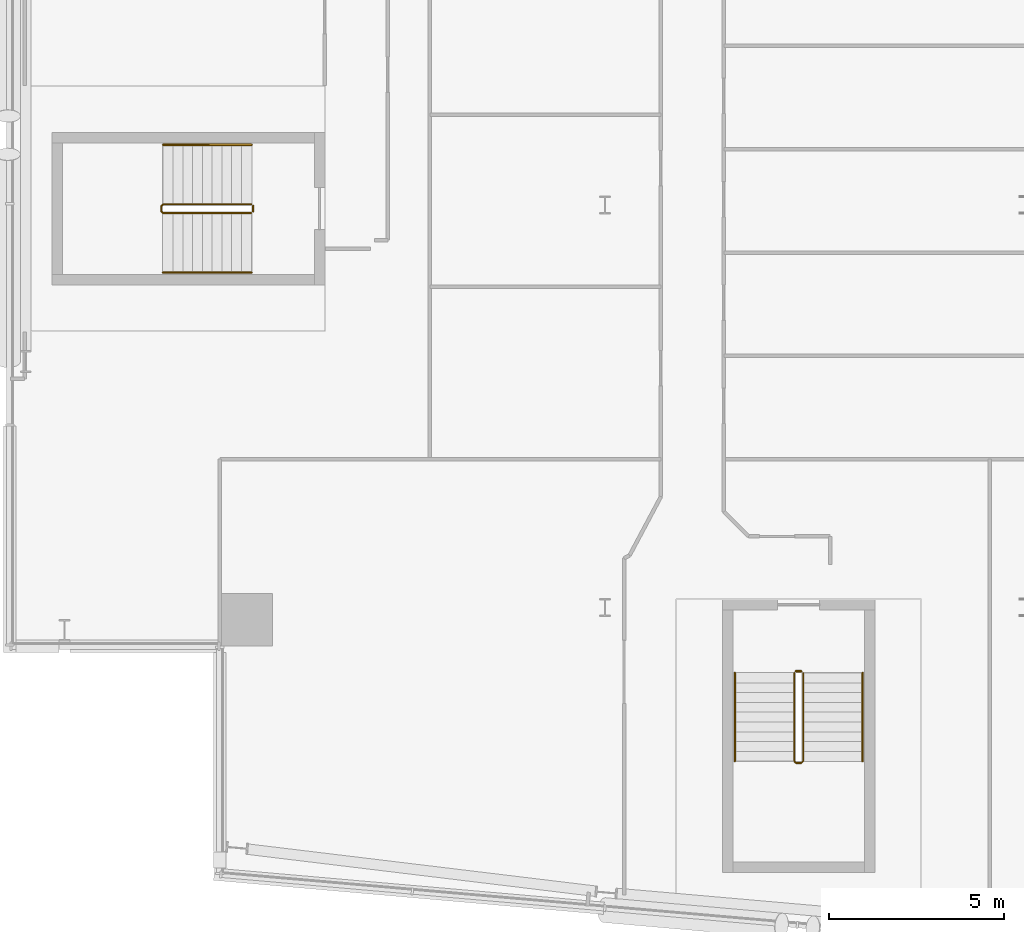
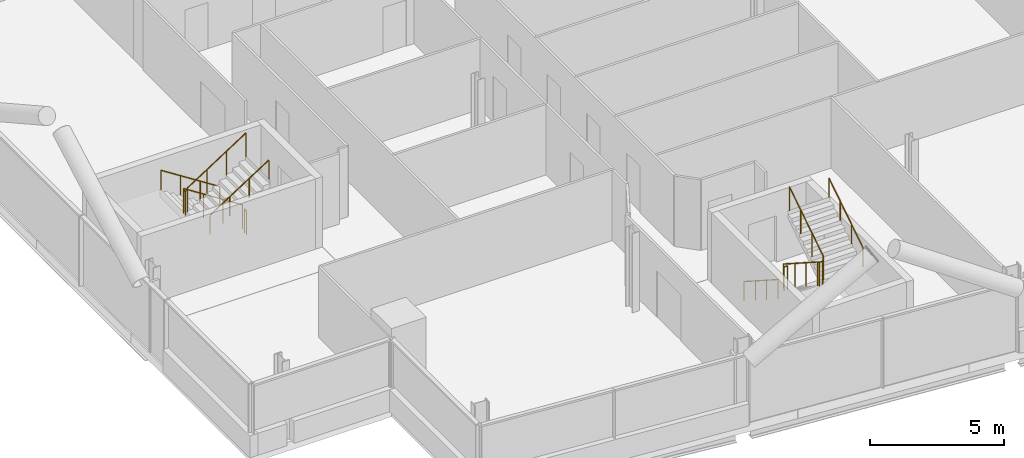
# One storey, part 24 of 26: 8 railings.
"""IFC4 building model written with IfcOpenShell, lengths in metres."""

from ifc_helpers import new_model, si_unit, direction, frame, origin, origin_2d, place, context, subcontext, project, spatial, circle, extrude, material, type_object, element, save


model = new_model("IFC4")

# Units and contexts
model_context = context("Model", 3, precision=1e-05, world=origin(), true_north=direction((0.0, 1.0)))
body_context = subcontext(model_context, "Body", "Model", "MODEL_VIEW")
ifc_project = project(units=[si_unit("LENGTHUNIT", "METRE"), si_unit("AREAUNIT", "SQUARE_METRE"), si_unit("VOLUMEUNIT", "CUBIC_METRE"), si_unit("PLANEANGLEUNIT", "RADIAN"), si_unit("MASSUNIT", "GRAM", prefix="KILO")], contexts=[model_context])

# Site, building, storey
site_placement = place(None, origin())
site = spatial("IfcSite", under=ifc_project, at=site_placement, CompositionType="ELEMENT")
building_placement = place(site_placement, origin())
building = spatial("IfcBuilding", under=site, at=building_placement, Name="Wharfspan Tower", CompositionType="ELEMENT")
storey_placement = place(building_placement, frame((0.0, 0.0, 169.899902)))
storey = spatial("IfcBuildingStorey", under=building, at=storey_placement, Name="L41", CompositionType="ELEMENT", Elevation=169.899902)

# Railings
ifc_material = material(Name="Steel S355J2", Category="steel")
railing_type_1 = type_object("IfcRailingType", Name="Stair guard 1100", PredefinedType="GUARDRAIL", material=ifc_material)
railing_1_placement = place(storey_placement, frame((13.899902, 23.024902, 0.180176)))
element("IfcRailing", 1, at=railing_1_placement, inside=storey, type_object=railing_type_1, Name="L41 ST3 stair guard 1", PredefinedType="GUARDRAIL", context=body_context, shape_type="SweptSolid", body=[
    extrude(circle(Radius=0.023926, at=origin_2d()), frame((0.0, 0.0, 1.076172), z_axis=(-0.8412, 0.0, 0.540725), x_axis=(0.0, -1.0, 0.0)), (0.0, 0.0, 1.0), 2.99585),
    extrude(circle(Radius=0.023926, at=origin_2d()), frame((-2.52002, 0.0, 2.695801), z_axis=(-0.707107, -0.707107, 0.0), x_axis=(0.707107, -0.707107, 0.0)), (0.0, 0.0, 1.0), 0.070312),
    extrude(circle(Radius=0.023926, at=origin_2d()), frame((-2.569824, -0.049805, 2.695801), z_axis=(0.0, -1.0, 0.0), x_axis=(1.0, 0.0, 0.0)), (0.0, 0.0, 1.0), 0.150146),
    extrude(circle(Radius=0.023926, at=origin_2d()), frame((-2.569824, -0.199951, 2.695801), z_axis=(0.257669, -0.258932, 0.930892), x_axis=(0.708833, 0.705372, -1e-06)), (0.0, 0.0, 1.0), 0.193359),
    extrude(circle(Radius=0.023926, at=origin_2d()), frame((-2.52002, -0.25, 2.875977), z_axis=(0.841163, 0.0, 0.540782), x_axis=(0.0, 1.0, 0.0)), (0.0, 0.0, 1.0), 2.99585),
    extrude(circle(Radius=0.020996, at=origin_2d()), origin(), (0.0, 0.0, 1.0), 1.052002),
    extrude(circle(Radius=0.020996, at=origin_2d()), frame((-0.840088, 0.0, 0.540039)), (0.0, 0.0, 1.0), 1.052002),
    extrude(circle(Radius=0.020996, at=origin_2d()), frame((-1.679932, 0.0, 1.079834)), (0.0, 0.0, 1.0), 1.052002),
    extrude(circle(Radius=0.020996, at=origin_2d()), frame((-2.52002, 0.0, 1.619873)), (0.0, 0.0, 1.0), 1.052002),
    extrude(circle(Radius=0.020996, at=origin_2d()), frame((-2.569824, -0.049805, 1.619873)), (0.0, 0.0, 1.0), 1.052002),
    extrude(circle(Radius=0.020996, at=origin_2d()), frame((-2.569824, -0.199951, 1.619873)), (0.0, 0.0, 1.0), 1.052002),
    extrude(circle(Radius=0.020996, at=origin_2d()), frame((-2.52002, -0.25, 1.799805)), (0.0, 0.0, 1.0), 1.052002),
    extrude(circle(Radius=0.020996, at=origin_2d()), frame((-1.679932, -0.25, 2.339844)), (0.0, 0.0, 1.0), 1.052002),
    extrude(circle(Radius=0.020996, at=origin_2d()), frame((-0.840088, -0.25, 2.879883)), (0.0, 0.0, 1.0), 1.052002),
    extrude(circle(Radius=0.020996, at=origin_2d()), frame((0.0, -0.25, 3.419922)), (0.0, 0.0, 1.0), 1.052002),
])
railing_2_placement = place(storey_placement, frame((13.949951, 22.975098, 0.0)))
element("IfcRailing", 2, at=railing_2_placement, inside=storey, type_object=railing_type_1, Name="L41 ST3 stair guard 2", PredefinedType="GUARDRAIL", context=body_context, shape_type="SweptSolid", body=[
    extrude(circle(Radius=0.023926, at=origin_2d()), frame((0.0, 0.0, 1.076172), z_axis=(0.0, -1.0, 0.0), x_axis=(1.0, 0.0, 0.0)), (0.0, 0.0, 1.0), 0.150146),
    extrude(circle(Radius=0.020996, at=origin_2d()), origin(), (0.0, 0.0, 1.0), 1.052002),
    extrude(circle(Radius=0.020996, at=origin_2d()), frame((0.0, -0.150146, 0.0)), (0.0, 0.0, 1.0), 1.052002),
])
railing_3_placement = place(storey_placement, frame((29.414307, 9.634277, 0.180176)))
element("IfcRailing", 3, at=railing_3_placement, inside=storey, type_object=railing_type_1, Name="L41 ST4 stair guard 1", PredefinedType="GUARDRAIL", context=body_context, shape_type="SweptSolid", body=[
    extrude(circle(Radius=0.023926, at=origin_2d()), frame((0.0, 0.0, 1.076172), z_axis=(0.0, -0.8412, 0.540725), x_axis=(1.0, 0.0, 0.0)), (0.0, 0.0, 1.0), 2.99585),
    extrude(circle(Radius=0.023926, at=origin_2d()), frame((0.0, -2.52002, 2.695801), z_axis=(0.705376, -0.708834, 0.0), x_axis=(0.708834, 0.705376, 0.0)), (0.0, 0.0, 1.0), 0.070557),
    extrude(circle(Radius=0.023926, at=origin_2d()), frame((0.049805, -2.570068, 2.695801), z_axis=(1.0, 0.0, 0.0), x_axis=(0.0, 1.0, 0.0)), (0.0, 0.0, 1.0), 0.150146),
    extrude(circle(Radius=0.023926, at=origin_2d()), frame((0.199951, -2.570068, 2.695801), z_axis=(0.258848, 0.258848, 0.930589), x_axis=(-0.707107, 0.707107, 0.0)), (0.0, 0.0, 1.0), 0.193359),
    extrude(circle(Radius=0.023926, at=origin_2d()), frame((0.25, -2.52002, 2.875977), z_axis=(0.0, 0.841163, 0.540782), x_axis=(-1.0, 0.0, 0.0)), (0.0, 0.0, 1.0), 2.99585),
    extrude(circle(Radius=0.020996, at=origin_2d()), origin(), (0.0, 0.0, 1.0), 1.052002),
    extrude(circle(Radius=0.020996, at=origin_2d()), frame((0.0, -0.840088, 0.540039)), (0.0, 0.0, 1.0), 1.052002),
    extrude(circle(Radius=0.020996, at=origin_2d()), frame((0.0, -1.679932, 1.079834)), (0.0, 0.0, 1.0), 1.052002),
    extrude(circle(Radius=0.020996, at=origin_2d()), frame((0.0, -2.52002, 1.619873)), (0.0, 0.0, 1.0), 1.052002),
    extrude(circle(Radius=0.020996, at=origin_2d()), frame((0.049805, -2.570068, 1.619873)), (0.0, 0.0, 1.0), 1.052002),
    extrude(circle(Radius=0.020996, at=origin_2d()), frame((0.199951, -2.570068, 1.619873)), (0.0, 0.0, 1.0), 1.052002),
    extrude(circle(Radius=0.020996, at=origin_2d()), frame((0.25, -2.52002, 1.799805)), (0.0, 0.0, 1.0), 1.052002),
    extrude(circle(Radius=0.020996, at=origin_2d()), frame((0.25, -1.679932, 2.339844)), (0.0, 0.0, 1.0), 1.052002),
    extrude(circle(Radius=0.020996, at=origin_2d()), frame((0.25, -0.840088, 2.879883)), (0.0, 0.0, 1.0), 1.052002),
    extrude(circle(Radius=0.020996, at=origin_2d()), frame((0.25, 0.0, 3.419922)), (0.0, 0.0, 1.0), 1.052002),
])
railing_4_placement = place(storey_placement, frame((29.464111, 9.684326, 0.0)))
element("IfcRailing", 4, at=railing_4_placement, inside=storey, type_object=railing_type_1, Name="L41 ST4 stair guard 2", PredefinedType="GUARDRAIL", context=body_context, shape_type="SweptSolid", body=[
    extrude(circle(Radius=0.023926, at=origin_2d()), frame((0.0, 0.0, 1.076172), z_axis=(1.0, 0.0, 0.0), x_axis=(0.0, 1.0, 0.0)), (0.0, 0.0, 1.0), 0.150146),
    extrude(circle(Radius=0.020996, at=origin_2d()), origin(), (0.0, 0.0, 1.0), 1.052002),
    extrude(circle(Radius=0.020996, at=origin_2d()), frame((0.150146, 0.0, 0.0)), (0.0, 0.0, 1.0), 1.052002),
])
railing_type_2 = type_object("IfcRailingType", Name="Stair handrail 900", PredefinedType="HANDRAIL", material=ifc_material)
railing_5_placement = place(storey_placement, frame((13.899902, 24.725098, 0.180176)))
element("IfcRailing", 5, at=railing_5_placement, inside=storey, type_object=railing_type_2, Name="L41 ST3 stair handrail 1", PredefinedType="HANDRAIL", context=body_context, shape_type="SweptSolid", body=[
    extrude(circle(Radius=0.023926, at=origin_2d()), frame((0.0, 0.0, 0.875977), z_axis=(-0.8412, 0.0, 0.540725), x_axis=(0.0, -1.0, 0.0)), (0.0, 0.0, 1.0), 2.99585),
    extrude(circle(Radius=0.020996, at=origin_2d()), origin(), (0.0, 0.0, 1.0), 0.851807),
    extrude(circle(Radius=0.020996, at=origin_2d()), frame((-0.840088, 0.0, 0.540039)), (0.0, 0.0, 1.0), 0.851807),
    extrude(circle(Radius=0.020996, at=origin_2d()), frame((-1.679932, 0.0, 1.079834)), (0.0, 0.0, 1.0), 0.851807),
    extrude(circle(Radius=0.020996, at=origin_2d()), frame((-2.52002, 0.0, 1.619873)), (0.0, 0.0, 1.0), 0.851807),
])
railing_6_placement = place(storey_placement, frame((11.379883, 21.074951, 1.97998)))
element("IfcRailing", 6, at=railing_6_placement, inside=storey, type_object=railing_type_2, Name="L41 ST3 stair handrail 2", PredefinedType="HANDRAIL", context=body_context, shape_type="SweptSolid", body=[
    extrude(circle(Radius=0.023926, at=origin_2d()), frame((0.0, 0.0, 0.875977), z_axis=(0.841163, 0.0, 0.540782), x_axis=(0.0, 1.0, 0.0)), (0.0, 0.0, 1.0), 2.99585),
    extrude(circle(Radius=0.020996, at=origin_2d()), origin(), (0.0, 0.0, 1.0), 0.851807),
    extrude(circle(Radius=0.020996, at=origin_2d()), frame((0.840088, 0.0, 0.540039)), (0.0, 0.0, 1.0), 0.851807),
    extrude(circle(Radius=0.020996, at=origin_2d()), frame((1.679932, 0.0, 1.080078)), (0.0, 0.0, 1.0), 0.851807),
    extrude(circle(Radius=0.020996, at=origin_2d()), frame((2.52002, 0.0, 1.620117)), (0.0, 0.0, 1.0), 0.851807),
])
railing_7_placement = place(storey_placement, frame((27.714111, 9.634277, 0.180176)))
element("IfcRailing", 7, at=railing_7_placement, inside=storey, type_object=railing_type_2, Name="L41 ST4 stair handrail 1", PredefinedType="HANDRAIL", context=body_context, shape_type="SweptSolid", body=[
    extrude(circle(Radius=0.023926, at=origin_2d()), frame((0.0, 0.0, 0.875977), z_axis=(0.0, -0.8412, 0.540725), x_axis=(1.0, 0.0, 0.0)), (0.0, 0.0, 1.0), 2.99585),
    extrude(circle(Radius=0.020996, at=origin_2d()), origin(), (0.0, 0.0, 1.0), 0.851807),
    extrude(circle(Radius=0.020996, at=origin_2d()), frame((0.0, -0.840088, 0.540039)), (0.0, 0.0, 1.0), 0.851807),
    extrude(circle(Radius=0.020996, at=origin_2d()), frame((0.0, -1.679932, 1.079834)), (0.0, 0.0, 1.0), 0.851807),
    extrude(circle(Radius=0.020996, at=origin_2d()), frame((0.0, -2.52002, 1.619873)), (0.0, 0.0, 1.0), 0.851807),
])
railing_8_placement = place(storey_placement, frame((31.364258, 7.114258, 1.97998)))
element("IfcRailing", 8, at=railing_8_placement, inside=storey, type_object=railing_type_2, Name="L41 ST4 stair handrail 2", PredefinedType="HANDRAIL", context=body_context, shape_type="SweptSolid", body=[
    extrude(circle(Radius=0.023926, at=origin_2d()), frame((0.0, 0.0, 0.875977), z_axis=(0.0, 0.841163, 0.540782), x_axis=(-1.0, 0.0, 0.0)), (0.0, 0.0, 1.0), 2.99585),
    extrude(circle(Radius=0.020996, at=origin_2d()), origin(), (0.0, 0.0, 1.0), 0.851807),
    extrude(circle(Radius=0.020996, at=origin_2d()), frame((0.0, 0.840088, 0.540039)), (0.0, 0.0, 1.0), 0.851807),
    extrude(circle(Radius=0.020996, at=origin_2d()), frame((0.0, 1.679932, 1.080078)), (0.0, 0.0, 1.0), 0.851807),
    extrude(circle(Radius=0.020996, at=origin_2d()), frame((0.0, 2.52002, 1.620117)), (0.0, 0.0, 1.0), 0.851807),
])

save(model, "model.ifc")
